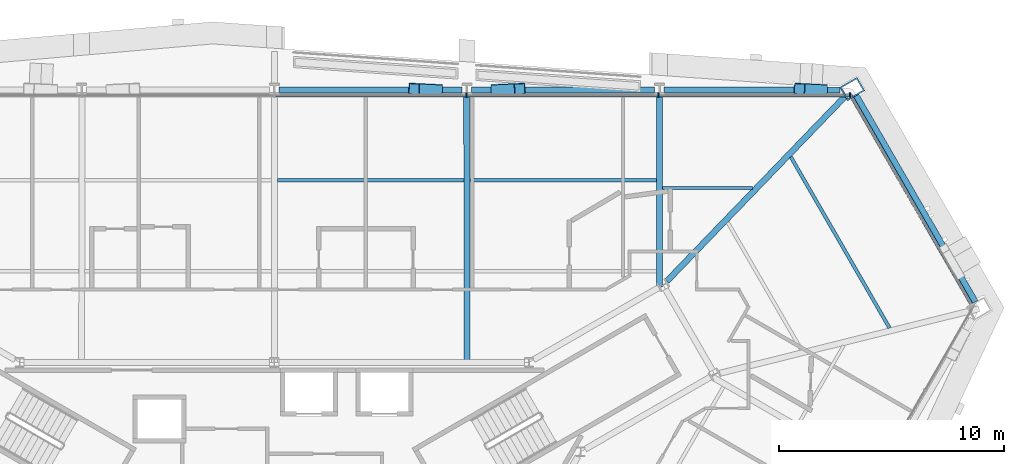
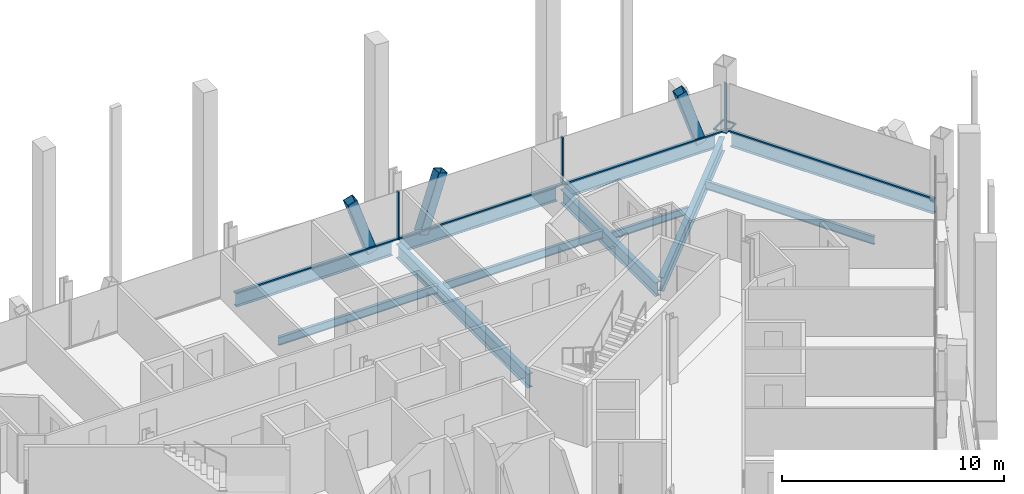
# One storey, part 11 of 21: 11 beams, 11 members, 2 elements without a shape of their own.
"""IFC4 building model written with IfcOpenShell, lengths in metres."""

from ifc_helpers import new_model, si_unit, direction, frame, origin, origin_2d, place, context, subcontext, project, spatial, rectangle, hollow_rectangle, i_section, extrude, material, material_profile, profile_set, type_object, element, aggregate, save


model = new_model("IFC4")

# Units and contexts
model_context = context("Model", 3, precision=1e-05, world=origin(), true_north=direction((0.0, 1.0)))
body_context = subcontext(model_context, "Body", "Model", "MODEL_VIEW")
ifc_project = project(units=[si_unit("LENGTHUNIT", "METRE"), si_unit("AREAUNIT", "SQUARE_METRE"), si_unit("VOLUMEUNIT", "CUBIC_METRE"), si_unit("PLANEANGLEUNIT", "RADIAN"), si_unit("MASSUNIT", "GRAM", prefix="KILO")], contexts=[model_context])

# Site, building, storey
site_placement = place(None, origin())
site = spatial("IfcSite", under=ifc_project, at=site_placement, CompositionType="ELEMENT")
building_placement = place(site_placement, origin())
building = spatial("IfcBuilding", under=site, at=building_placement, Name="Verrane Prism Tower", CompositionType="ELEMENT")
storey_placement = place(building_placement, frame((0.0, 0.0, 65.60009765625)))
storey = spatial("IfcBuildingStorey", under=building, at=storey_placement, Name="L14", CompositionType="ELEMENT", Elevation=65.60009765625)

# Beams
ifc_material_1 = material(Name="Steel A992", Category="steel")
ifc_material_profile_1 = material_profile(ifc_material_1, i_section(OverallWidth=0.2666015625, OverallDepth=0.76708984375, WebThickness=0.014892578125, FlangeThickness=0.023681640625, FilletRadius=0.0166015625, at=origin_2d()), Name="W30x124")
ifc_profile_set_1 = profile_set([ifc_material_profile_1], Name="Steel A992")
beam_type_1 = type_object("IfcBeamType", Name="Chamfer spandrel beam W30x124", PredefinedType="SPANDREL", material=ifc_profile_set_1)
beam_1_placement = place(storey_placement, frame((31.19482421875, 11.89306640625, -0.543701171875), z_axis=(-0.500233062516, 0.865890803257, 0.0), x_axis=(-0.865890803257, -0.500233062516, 0.0)))
element("IfcBeam", 1, at=beam_1_placement, inside=storey, type_object=beam_type_1, Name="Chamfer spandrel beam L14", PredefinedType="SPANDREL", context=body_context, shape_type="SweptSolid", body=[
    extrude(i_section(OverallWidth=0.2666015625, OverallDepth=0.76708984375, WebThickness=0.014892578125, FlangeThickness=0.023681640625, FilletRadius=0.0166015625, at=origin_2d()), origin(), (0.0, 0.0, 1.0), 10.5947265625),
])
ifc_material_2 = material(Name="Steel A992", Category="steel")
ifc_material_profile_2 = material_profile(ifc_material_2, i_section(OverallWidth=0.2666015625, OverallDepth=0.76708984375, WebThickness=0.014892578125, FlangeThickness=0.023681640625, FilletRadius=0.0166015625, at=origin_2d()), Name="W30x124")
ifc_profile_set_2 = profile_set([ifc_material_profile_2], Name="Steel A992")
beam_type_2 = type_object("IfcBeamType", Name="Corner girder W30x124", PredefinedType="BEAM", material=ifc_profile_set_2)
beam_2_placement = place(storey_placement, frame((25.39501953125, 21.032958984375, -0.603515625), z_axis=(-0.694222573205, -0.719760389889, 0.0), x_axis=(0.719760389889, -0.694222573205, 0.0)))
element("IfcBeam", 2, at=beam_2_placement, inside=storey, type_object=beam_type_2, Name="Corner girder L14", PredefinedType="BEAM", context=body_context, shape_type="SweptSolid", body=[
    extrude(i_section(OverallWidth=0.2666015625, OverallDepth=0.76708984375, WebThickness=0.014892578125, FlangeThickness=0.023681640625, FilletRadius=0.0166015625, at=origin_2d()), origin(), (0.0, 0.0, 1.0), 11.424072265625),
])

# Members
ifc_material_3 = material(Name="Steel A1085 Grade A", Category="steel")
ifc_material_profile_3 = material_profile(ifc_material_3, hollow_rectangle(XDim=0.508056640625, YDim=0.508056640625, WallThickness=0.025390625, InnerFilletRadius=0.0126953125, OuterFilletRadius=0.0380859375, at=origin_2d()), Name="HSS20x20x1")
ifc_profile_set_3 = profile_set([ifc_material_profile_3], Name="Steel A1085 Grade A")
member_type_1 = type_object("IfcMemberType", Name="Facade brace HSS20x20x1", PredefinedType="BRACE", material=ifc_profile_set_3)
member_1_placement = place(storey_placement, frame((24.369873046875, 21.319091796875, -0.24267578125), z_axis=(-0.315424325647, 0.016094649429, 0.948814237377), x_axis=(-0.05095909544, -0.998700741259, 0.0)))
element("IfcMember", 3, at=member_1_placement, inside=storey, type_object=member_type_1, Name="Facade brace N0 L14", PredefinedType="BRACE", context=body_context, shape_type="SweptSolid", body=[
    extrude(hollow_rectangle(XDim=0.508056640625, YDim=0.508056640625, WallThickness=0.025390625, InnerFilletRadius=0.0126953125, OuterFilletRadius=0.0380859375, at=origin_2d()), origin(), (0.0, 0.0, 1.0), 3.17041015625),
])
member_2_placement = place(storey_placement, frame((9.88720703125, 21.319091796875, -0.24267578125), z_axis=(0.324671101855, 0.016041669099, 0.945690932849), x_axis=(-0.049348783868, 0.998781606524, 0.0)))
element("IfcMember", 4, at=member_2_placement, inside=storey, type_object=member_type_1, Name="Facade brace N1 L14", PredefinedType="BRACE", context=body_context, shape_type="SweptSolid", body=[
    extrude(hollow_rectangle(XDim=0.508056640625, YDim=0.508056640625, WallThickness=0.025390625, InnerFilletRadius=0.0126953125, OuterFilletRadius=0.0380859375, at=origin_2d()), origin(), (0.0, 0.0, 1.0), 3.180908203125),
])
member_3_placement = place(storey_placement, frame((7.23828125, 21.319091796875, -0.24267578125), z_axis=(-0.32019714936, 0.016067516018, 0.947214664409), x_axis=(-0.050117013387, -0.998743352904, 0.0)))
element("IfcMember", 5, at=member_3_placement, inside=storey, type_object=member_type_1, Name="Facade brace N2 L14", PredefinedType="BRACE", context=body_context, shape_type="SweptSolid", body=[
    extrude(hollow_rectangle(XDim=0.508056640625, YDim=0.508056640625, WallThickness=0.025390625, InnerFilletRadius=0.0126953125, OuterFilletRadius=0.0380859375, at=origin_2d()), origin(), (0.0, 0.0, 1.0), 3.17578125),
])

# Beams
ifc_material_4 = material(Name="Steel A992", Category="steel")
ifc_material_profile_4 = material_profile(ifc_material_4, i_section(OverallWidth=0.140380859375, OverallDepth=0.40380859375, WebThickness=0.007080078125, FlangeThickness=0.01123046875, FilletRadius=0.01025390625, at=origin_2d()), Name="W16x31")
ifc_profile_set_4 = profile_set([ifc_material_profile_4], Name="Steel A992")
beam_type_3 = type_object("IfcBeamType", Name="Floor beam W16x31", PredefinedType="BEAM", material=ifc_profile_set_4)
beam_3_placement = place(storey_placement, frame((17.283447265625, 16.9599609375, -0.362060546875), z_axis=(1.0, 0.0, 0.0), x_axis=(0.0, 1.0, 0.0)))
element("IfcBeam", 6, at=beam_3_placement, inside=storey, type_object=beam_type_3, Name="Floor beam L14", PredefinedType="BEAM", context=body_context, shape_type="SweptSolid", body=[
    extrude(i_section(OverallWidth=0.140380859375, OverallDepth=0.40380859375, WebThickness=0.007080078125, FlangeThickness=0.01123046875, FilletRadius=0.01025390625, at=origin_2d()), origin(), (0.0, 0.0, 1.0), 3.99755859375),
])
ifc_material_5 = material(Name="Steel A992", Category="steel")
ifc_material_profile_5 = material_profile(ifc_material_5, i_section(OverallWidth=0.15234375, OverallDepth=0.449462890625, WebThickness=0.007568359375, FlangeThickness=0.0107421875, FilletRadius=0.01025390625, at=origin_2d()), Name="W18x35")
ifc_profile_set_5 = profile_set([ifc_material_profile_5], Name="Steel A992")
beam_type_4 = type_object("IfcBeamType", Name="Floor beam W18x35", PredefinedType="BEAM", material=ifc_profile_set_5)
beam_4_placement = place(storey_placement, frame((8.70361328125, 17.313232421875, -0.385009765625), z_axis=(1.0, 0.0, 0.0), x_axis=(0.0, 1.0, 0.0)))
element("IfcBeam", 7, at=beam_4_placement, inside=storey, type_object=beam_type_4, Name="Floor beam L14", PredefinedType="BEAM", context=body_context, shape_type="SweptSolid", body=[
    extrude(i_section(OverallWidth=0.15234375, OverallDepth=0.449462890625, WebThickness=0.007568359375, FlangeThickness=0.0107421875, FilletRadius=0.01025390625, at=origin_2d()), origin(), (0.0, 0.0, 1.0), 8.31298828125),
])
beam_5_placement = place(storey_placement, frame((0.133544921875, 17.313232421875, -0.385009765625), z_axis=(1.0, 0.0, 0.0), x_axis=(0.0, 1.0, 0.0)))
element("IfcBeam", 8, at=beam_5_placement, inside=storey, type_object=beam_type_4, Name="Floor beam L14", PredefinedType="BEAM", context=body_context, shape_type="SweptSolid", body=[
    extrude(i_section(OverallWidth=0.15234375, OverallDepth=0.449462890625, WebThickness=0.007568359375, FlangeThickness=0.0107421875, FilletRadius=0.01025390625, at=origin_2d()), origin(), (0.0, 0.0, 1.0), 8.302978515625),
])
beam_6_placement = place(storey_placement, frame((27.376708984375, 10.7333984375, -0.385009765625), z_axis=(-0.499991890044, 0.866030086019, 0.0), x_axis=(-0.866030086019, -0.499991890044, 0.0)))
element("IfcBeam", 9, at=beam_6_placement, inside=storey, type_object=beam_type_4, Name="Floor beam L14", PredefinedType="BEAM", context=body_context, shape_type="SweptSolid", body=[
    extrude(i_section(OverallWidth=0.15234375, OverallDepth=0.449462890625, WebThickness=0.007568359375, FlangeThickness=0.0107421875, FilletRadius=0.01025390625, at=origin_2d()), origin(), (0.0, 0.0, 1.0), 8.784912109375),
])

# Member
ifc_material_6 = material(Name="Steel A572 Grade 50", Category="steel")
ifc_material_profile_6 = material_profile(ifc_material_6, hollow_rectangle(XDim=0.699951171875, YDim=0.89990234375, WallThickness=0.06494140625, at=origin_2d()), Name="BOX 900x700x65")
ifc_profile_set_6 = profile_set([ifc_material_profile_6], Name="Steel A572 Grade 50")
member_type_2 = type_object("IfcMemberType", Name="Kink node BOX 900x700x65", PredefinedType="COLLAR", material=ifc_profile_set_6)
member_4_placement = place(storey_placement, frame((25.718994140625, 21.368408203125, -0.0400390625), z_axis=(0.0, 0.0, 1.0), x_axis=(0.5, -0.866025403784, 0.0)))
element("IfcMember", 10, at=member_4_placement, inside=storey, type_object=member_type_2, Name="Kink node MC3 L14", PredefinedType="COLLAR", context=body_context, shape_type="SweptSolid", body=[
    extrude(hollow_rectangle(XDim=0.699951171875, YDim=0.89990234375, WallThickness=0.06494140625, at=origin_2d()), origin(), (0.0, 0.0, 1.0), 0.079833984375),
])

# Curtain wall, members
ifc_material_7 = material(Name="Aluminium framed insulated glazing", Category="aluminium")
curtain_wall_type = type_object("IfcCurtainWallType", Name="Curtain wall CW-A 8400 module", PredefinedType="NOTDEFINED", material=ifc_material_7)
curtain_wall_1_placement = place(storey_placement, origin())
curtain_wall_1 = element("IfcCurtainWall", 11, at=curtain_wall_1_placement, inside=storey, type_object=curtain_wall_type, Name="Glazed curtain wall north face L14", PredefinedType="NOTDEFINED")
ifc_material_8 = material(Name="Aluminium alloy 6063-T6", Category="aluminium")
ifc_material_profile_7 = material_profile(ifc_material_8, rectangle(XDim=0.199951171875, YDim=0.070068359375, at=origin_2d()), Name="Mullion 70x200 aluminium")
ifc_profile_set_7 = profile_set([ifc_material_profile_7], Name="Aluminium alloy 6063-T6")
member_type_3 = type_object("IfcMemberType", Name="Mullion 70x200 aluminium", PredefinedType="MULLION", material=ifc_profile_set_7)
member_5_placement = place(storey_placement, frame((25.61376953125, 21.091064453125, 0.0), z_axis=(0.0, 0.0, 1.0), x_axis=(0.0, -1.0, 0.0)))
member_5 = element("IfcMember", 12, at=member_5_placement, type_object=member_type_3, Name="CW14.2 mullion 1", PredefinedType="MULLION", context=body_context, shape_type="SweptSolid", body=[
    extrude(rectangle(XDim=0.199951171875, YDim=0.070068359375, at=origin_2d()), origin(), (0.0, 0.0, 1.0), 2.61279296875),
])
member_6_placement = place(storey_placement, frame((17.09912109375, 21.091064453125, 0.0), z_axis=(0.0, 0.0, 1.0), x_axis=(0.0, -1.0, 0.0)))
member_6 = element("IfcMember", 13, at=member_6_placement, type_object=member_type_3, Name="CW14.2 mullion 2", PredefinedType="MULLION", context=body_context, shape_type="SweptSolid", body=[
    extrude(rectangle(XDim=0.199951171875, YDim=0.070068359375, at=origin_2d()), origin(), (0.0, 0.0, 1.0), 2.61279296875),
])
member_7_placement = place(storey_placement, frame((8.549560546875, 21.091064453125, 0.0), z_axis=(0.0, 0.0, 1.0), x_axis=(0.0, -1.0, 0.0)))
member_7 = element("IfcMember", 14, at=member_7_placement, type_object=member_type_3, Name="CW14.2 mullion 3", PredefinedType="MULLION", context=body_context, shape_type="SweptSolid", body=[
    extrude(rectangle(XDim=0.199951171875, YDim=0.070068359375, at=origin_2d()), origin(), (0.0, 0.0, 1.0), 2.61279296875),
])

# Beams
ifc_material_9 = material(Name="Steel A992", Category="steel")
ifc_material_profile_8 = material_profile(ifc_material_9, i_section(OverallWidth=0.2666015625, OverallDepth=0.76708984375, WebThickness=0.014892578125, FlangeThickness=0.023681640625, FilletRadius=0.0166015625, at=origin_2d()), Name="W30x124")
ifc_profile_set_8 = profile_set([ifc_material_profile_8], Name="Steel A992")
beam_type_5 = type_object("IfcBeamType", Name="Radial girder W30x124", PredefinedType="BEAM", material=ifc_profile_set_8)
beam_7_placement = place(storey_placement, frame((17.13037109375, 21.0703125, -0.603515625), z_axis=(0.002293308956, -0.999997370364, 0.0), x_axis=(0.999997370364, 0.002293308956, 0.0)))
element("IfcBeam", 15, at=beam_7_placement, inside=storey, type_object=beam_type_5, Name="Radial girder L14", PredefinedType="BEAM", context=body_context, shape_type="SweptSolid", body=[
    extrude(i_section(OverallWidth=0.2666015625, OverallDepth=0.76708984375, WebThickness=0.014892578125, FlangeThickness=0.023681640625, FilletRadius=0.0166015625, at=origin_2d()), origin(), (0.0, 0.0, 1.0), 8.5166015625),
])
beam_8_placement = place(storey_placement, frame((8.561767578125, 21.0703125, -0.603515625), z_axis=(0.000699286146, -0.999999755499, 0.0), x_axis=(0.999999755499, 0.000699286146, 0.0)))
element("IfcBeam", 16, at=beam_8_placement, inside=storey, type_object=beam_type_5, Name="Radial girder L14", PredefinedType="BEAM", context=body_context, shape_type="SweptSolid", body=[
    extrude(i_section(OverallWidth=0.2666015625, OverallDepth=0.76708984375, WebThickness=0.014892578125, FlangeThickness=0.023681640625, FilletRadius=0.0166015625, at=origin_2d()), origin(), (0.0, 0.0, 1.0), 11.870361328125),
])
ifc_material_10 = material(Name="Steel A992", Category="steel")
ifc_material_profile_9 = material_profile(ifc_material_10, i_section(OverallWidth=0.2666015625, OverallDepth=0.7568359375, WebThickness=0.013916015625, FlangeThickness=0.019287109375, FilletRadius=0.0166015625, at=origin_2d()), Name="W30x108")
ifc_profile_set_9 = profile_set([ifc_material_profile_9], Name="Steel A992")
beam_type_6 = type_object("IfcBeamType", Name="Spandrel beam W30x108", PredefinedType="SPANDREL", material=ifc_profile_set_9)
beam_9_placement = place(storey_placement, frame((25.171630859375, 21.319091796875, -0.53857421875), z_axis=(-1.0, 0.0, 0.0), x_axis=(0.0, -1.0, 0.0)))
element("IfcBeam", 17, at=beam_9_placement, inside=storey, type_object=beam_type_6, Name="Spandrel beam L14", PredefinedType="SPANDREL", context=body_context, shape_type="SweptSolid", body=[
    extrude(i_section(OverallWidth=0.2666015625, OverallDepth=0.7568359375, WebThickness=0.013916015625, FlangeThickness=0.019287109375, FilletRadius=0.0166015625, at=origin_2d()), origin(), (0.0, 0.0, 1.0), 7.825927734375),
])
beam_10_placement = place(storey_placement, frame((16.913818359375, 21.319091796875, -0.53857421875), z_axis=(-1.0, 0.0, 0.0), x_axis=(0.0, -1.0, 0.0)))
element("IfcBeam", 18, at=beam_10_placement, inside=storey, type_object=beam_type_6, Name="Spandrel beam L14", PredefinedType="SPANDREL", context=body_context, shape_type="SweptSolid", body=[
    extrude(i_section(OverallWidth=0.2666015625, OverallDepth=0.7568359375, WebThickness=0.013916015625, FlangeThickness=0.019287109375, FilletRadius=0.0166015625, at=origin_2d()), origin(), (0.0, 0.0, 1.0), 8.13623046875),
])
beam_11_placement = place(storey_placement, frame((8.345703125, 21.319091796875, -0.53857421875), z_axis=(-1.0, 0.0, 0.0), x_axis=(0.0, -1.0, 0.0)))
element("IfcBeam", 19, at=beam_11_placement, inside=storey, type_object=beam_type_6, Name="Spandrel beam L14", PredefinedType="SPANDREL", context=body_context, shape_type="SweptSolid", body=[
    extrude(i_section(OverallWidth=0.2666015625, OverallDepth=0.7568359375, WebThickness=0.013916015625, FlangeThickness=0.019287109375, FilletRadius=0.0166015625, at=origin_2d()), origin(), (0.0, 0.0, 1.0), 8.1298828125),
])

# Curtain wall, member
curtain_wall_2_placement = place(storey_placement, origin())
curtain_wall_2 = element("IfcCurtainWall", 20, at=curtain_wall_2_placement, inside=storey, type_object=curtain_wall_type, Name="Glazed curtain wall north-east corner L14", PredefinedType="NOTDEFINED")
ifc_material_11 = material(Name="Aluminium alloy 6063-T6", Category="aluminium")
ifc_material_profile_10 = material_profile(ifc_material_11, rectangle(XDim=0.14990234375, YDim=0.070068359375, at=origin_2d()), Name="Transom 70x150 aluminium")
ifc_profile_set_10 = profile_set([ifc_material_profile_10], Name="Aluminium alloy 6063-T6")
member_type_4 = type_object("IfcMemberType", Name="Transom 70x150 aluminium", PredefinedType="USERDEFINED", material=ifc_profile_set_10)
member_8_placement = place(storey_placement, frame((31.0546875, 11.7275390625, 0.034912109375), z_axis=(-0.499998054568, 0.866026526977, 0.0), x_axis=(-0.866026526977, -0.499998054568, 0.0)))
member_8 = element("IfcMember", 21, at=member_8_placement, type_object=member_type_4, Name="CW14.1 transom 1", ObjectType="TRANSOM", PredefinedType="USERDEFINED", context=body_context, shape_type="SweptSolid", body=[
    extrude(rectangle(XDim=0.14990234375, YDim=0.070068359375, at=origin_2d()), origin(), (0.0, 0.0, 1.0), 10.81201171875),
])
aggregate(curtain_wall_2, [member_8])

# Member
member_9_placement = place(storey_placement, frame((25.578857421875, 21.091064453125, 0.034912109375), z_axis=(-1.0, 0.0, 0.0), x_axis=(0.0, -1.0, 0.0)))
member_9 = element("IfcMember", 22, at=member_9_placement, type_object=member_type_4, Name="CW14.2 transom 1", ObjectType="TRANSOM", PredefinedType="USERDEFINED", context=body_context, shape_type="SweptSolid", body=[
    extrude(rectangle(XDim=0.14990234375, YDim=0.070068359375, at=origin_2d()), origin(), (0.0, 0.0, 1.0), 8.444580078125),
])

member_10_placement = place(storey_placement, frame((17.064208984375, 21.091064453125, 0.034912109375), z_axis=(-1.0, 0.0, 0.0), x_axis=(0.0, -1.0, 0.0)))
member_10 = element("IfcMember", 23, at=member_10_placement, type_object=member_type_4, Name="CW14.2 transom 2", ObjectType="TRANSOM", PredefinedType="USERDEFINED", context=body_context, shape_type="SweptSolid", body=[
    extrude(rectangle(XDim=0.14990234375, YDim=0.070068359375, at=origin_2d()), origin(), (0.0, 0.0, 1.0), 8.4794921875),
])

member_11_placement = place(storey_placement, frame((8.5146484375, 21.091064453125, 0.034912109375), z_axis=(-1.0, 0.0, 0.0), x_axis=(0.0, -1.0, 0.0)))
member_11 = element("IfcMember", 24, at=member_11_placement, type_object=member_type_4, Name="CW14.2 transom 3", ObjectType="TRANSOM", PredefinedType="USERDEFINED", context=body_context, shape_type="SweptSolid", body=[
    extrude(rectangle(XDim=0.14990234375, YDim=0.070068359375, at=origin_2d()), origin(), (0.0, 0.0, 1.0), 8.479736328125),
])

aggregate(curtain_wall_1, [member_5, member_6, member_7, member_9, member_10, member_11])

save(model, "model.ifc")
